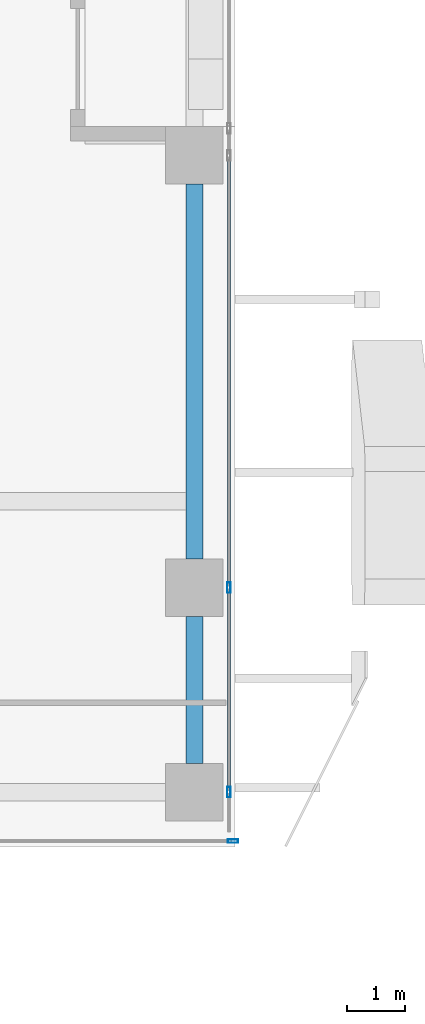
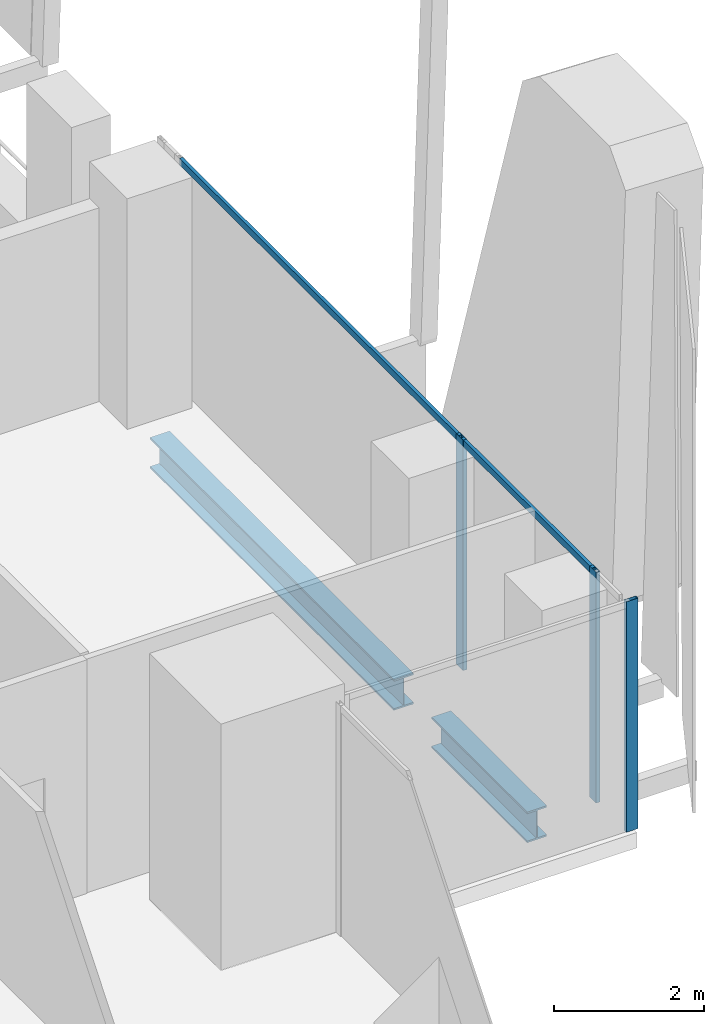
# One storey, part 11 of 35: 5 members, 2 beams, 2 elements without a shape of their own.
"""IFC4 building model written with IfcOpenShell, lengths in metres."""

from ifc_helpers import new_model, si_unit, direction, frame, origin, origin_2d, place, context, subcontext, project, spatial, hollow_rectangle, i_section, extrude, source, transform, mapped, material, material_profile, profile_set, type_object, element, aggregate, save


model = new_model("IFC4")

# Units and contexts
model_context = context("Model", 3, precision=1e-05, world=origin(), true_north=direction((0.0, 1.0)))
body_context = subcontext(model_context, "Body", "Model", "MODEL_VIEW")
ifc_project = project(units=[si_unit("LENGTHUNIT", "METRE"), si_unit("AREAUNIT", "SQUARE_METRE"), si_unit("VOLUMEUNIT", "CUBIC_METRE"), si_unit("PLANEANGLEUNIT", "RADIAN"), si_unit("MASSUNIT", "GRAM", prefix="KILO")], contexts=[model_context])

# Site, building, storey
site_placement = place(None, origin())
site = spatial("IfcSite", under=ifc_project, at=site_placement, CompositionType="ELEMENT")
building_placement = place(site_placement, origin())
building = spatial("IfcBuilding", under=site, at=building_placement, Name="Khomas Fold Tower", CompositionType="ELEMENT")
storey_placement = place(building_placement, frame((0.0, 0.0, 200.699951171875)))
storey = spatial("IfcBuildingStorey", under=building, at=storey_placement, Name="L44", CompositionType="ELEMENT", Elevation=200.699951171875)

# Beams
ifc_material_1 = material(Name="Steel S355", Category="steel")
ifc_material_profile_1 = material_profile(ifc_material_1, i_section(OverallWidth=0.300048828125, OverallDepth=0.5, WebThickness=0.014404296875, FlangeThickness=0.028076171875, at=origin_2d()), Name="HE 500 B")
ifc_profile_set_1 = profile_set([ifc_material_profile_1], Name="Steel S355")
beam_type = type_object("IfcBeamType", Name="HE 500 B spandrel SB3", PredefinedType="SPANDREL", material=ifc_profile_set_1)
shared_shape_1 = source(origin(), body_context, "Body", "SweptSolid", [
    extrude(i_section(OverallWidth=0.300048828125, OverallDepth=0.5, WebThickness=0.014404296875, FlangeThickness=0.028076171875, at=origin_2d()), origin(), (0.0, 0.0, 1.0), 2.550048828125),
])
beam_1_placement = place(storey_placement, frame((50.300048828125, 8.949951171875, -0.5), z_axis=(0.0, 1.0, 0.0), x_axis=(-1.0, 0.0, 0.0)))
element("IfcBeam", 1, at=beam_1_placement, inside=storey, type_object=beam_type, Name="SB3", PredefinedType="SPANDREL", context=body_context, shape_type="MappedRepresentation", body=[
    mapped(shared_shape_1, transform((0.0, 0.0, 0.0))),
])
shared_shape_2 = source(origin(), body_context, "Body", "SweptSolid", [
    extrude(i_section(OverallWidth=0.300048828125, OverallDepth=0.5, WebThickness=0.014404296875, FlangeThickness=0.028076171875, at=origin_2d()), origin(), (0.0, 0.0, 1.0), 6.5),
])
beam_2_placement = place(storey_placement, frame((50.300048828125, 12.5, -0.5), z_axis=(0.0, 1.0, 0.0), x_axis=(-1.0, 0.0, 0.0)))
element("IfcBeam", 2, at=beam_2_placement, inside=storey, type_object=beam_type, Name="SB3", PredefinedType="SPANDREL", context=body_context, shape_type="MappedRepresentation", body=[
    mapped(shared_shape_2, transform((0.0, 0.0, 0.0))),
])

# Curtain wall, member
ifc_material_2 = material(Name="Aluminium framed double glazing", Category="aluminium")
curtain_wall_type = type_object("IfcCurtainWallType", Name="SK-Unitised clear-glass wall, office floors CW2", PredefinedType="NOTDEFINED", material=ifc_material_2)
curtain_wall_1_placement = place(storey_placement, origin())
curtain_wall_1 = element("IfcCurtainWall", 3, at=curtain_wall_1_placement, inside=storey, type_object=curtain_wall_type, Name="CW2 corner return L44 02", PredefinedType="NOTDEFINED")
ifc_material_3 = material(Name="Aluminium", Category="aluminium")
ifc_material_profile_2 = material_profile(ifc_material_3, hollow_rectangle(XDim=0.06005859375, YDim=0.179931640625, WallThickness=0.00390625, at=origin_2d()), Name="SK-Unitised clear-glass wall, office floors mullion CW2-M")
ifc_profile_set_2 = profile_set([ifc_material_profile_2], Name="Aluminium")
member_type_1 = type_object("IfcMemberType", Name="SK-Unitised clear-glass wall, office floors mullion CW2-M", PredefinedType="MULLION", material=ifc_profile_set_2)
shared_shape_3 = source(origin(), body_context, "Body", "SweptSolid", [
    extrude(hollow_rectangle(XDim=0.06005859375, YDim=0.179931640625, WallThickness=0.00390625, at=origin_2d()), origin(), (0.0, 0.0, 1.0), 3.75),
])
member_1_placement = place(storey_placement, frame((50.969970703125, 7.60009765625, 0.0), z_axis=(0.0, 0.0, 1.0), x_axis=(0.0, 1.0, 0.0)))
member_1 = element("IfcMember", 4, at=member_1_placement, type_object=member_type_1, Name="CW2 mullion 2", PredefinedType="MULLION", context=body_context, shape_type="MappedRepresentation", body=[
    mapped(shared_shape_3, transform((0.0, 0.0, 0.0))),
])
aggregate(curtain_wall_1, [member_1])

# Curtain wall, members
curtain_wall_2_placement = place(storey_placement, origin())
curtain_wall_2 = element("IfcCurtainWall", 5, at=curtain_wall_2_placement, inside=storey, type_object=curtain_wall_type, Name="CW2 run L44 03-0", PredefinedType="NOTDEFINED")
member_2_placement = place(storey_placement, frame((50.89990234375, 8.449951171875, 0.0), z_axis=(0.0, 0.0, 1.0), x_axis=(-1.0, 0.0, 0.0)))
member_2 = element("IfcMember", 6, at=member_2_placement, type_object=member_type_1, Name="CW2 mullion 2", PredefinedType="MULLION", context=body_context, shape_type="MappedRepresentation", body=[
    mapped(shared_shape_3, transform((0.0, 0.0, 0.0))),
])
member_3_placement = place(storey_placement, frame((50.89990234375, 12.0, 0.0), z_axis=(0.0, 0.0, 1.0), x_axis=(-1.0, 0.0, 0.0)))
member_3 = element("IfcMember", 7, at=member_3_placement, type_object=member_type_1, Name="CW2 mullion 3", PredefinedType="MULLION", context=body_context, shape_type="MappedRepresentation", body=[
    mapped(shared_shape_3, transform((0.0, 0.0, 0.0))),
])
ifc_material_4 = material(Name="Aluminium", Category="aluminium")
ifc_material_profile_3 = material_profile(ifc_material_4, hollow_rectangle(XDim=0.050048828125, YDim=0.110107421875, WallThickness=0.00390625, at=origin_2d()), Name="SK-Unitised clear-glass wall, office floors transom CW2-T")
ifc_profile_set_3 = profile_set([ifc_material_profile_3], Name="Aluminium")
member_type_2 = type_object("IfcMemberType", Name="SK-Unitised clear-glass wall, office floors transom CW2-T", PredefinedType="USERDEFINED", material=ifc_profile_set_3)
shared_shape_4 = source(origin(), body_context, "Body", "SweptSolid", [
    extrude(hollow_rectangle(XDim=0.050048828125, YDim=0.110107421875, WallThickness=0.00390625, at=origin_2d()), origin(), (0.0, 0.0, 1.0), 3.489990234375),
])
member_4_placement = place(storey_placement, frame((50.89990234375, 8.47998046875, 3.695068359375), z_axis=(0.0, 1.0, 0.0), x_axis=(-1.0, 0.0, 0.0)))
member_4 = element("IfcMember", 8, at=member_4_placement, type_object=member_type_2, Name="CW2 transom 2", ObjectType="TRANSOM", PredefinedType="USERDEFINED", context=body_context, shape_type="MappedRepresentation", body=[
    mapped(shared_shape_4, transform((0.0, 0.0, 0.0))),
])
shared_shape_5 = source(origin(), body_context, "Body", "SweptSolid", [
    extrude(hollow_rectangle(XDim=0.050048828125, YDim=0.110107421875, WallThickness=0.00390625, at=origin_2d()), origin(), (0.0, 0.0, 1.0), 7.43994140625),
])
member_5_placement = place(storey_placement, frame((50.89990234375, 12.030029296875, 3.695068359375), z_axis=(0.0, 1.0, 0.0), x_axis=(-1.0, 0.0, 0.0)))
member_5 = element("IfcMember", 9, at=member_5_placement, type_object=member_type_2, Name="CW2 transom 3", ObjectType="TRANSOM", PredefinedType="USERDEFINED", context=body_context, shape_type="MappedRepresentation", body=[
    mapped(shared_shape_5, transform((0.0, 0.0, 0.0))),
])
aggregate(curtain_wall_2, [member_2, member_3, member_4, member_5])

save(model, "model.ifc")
